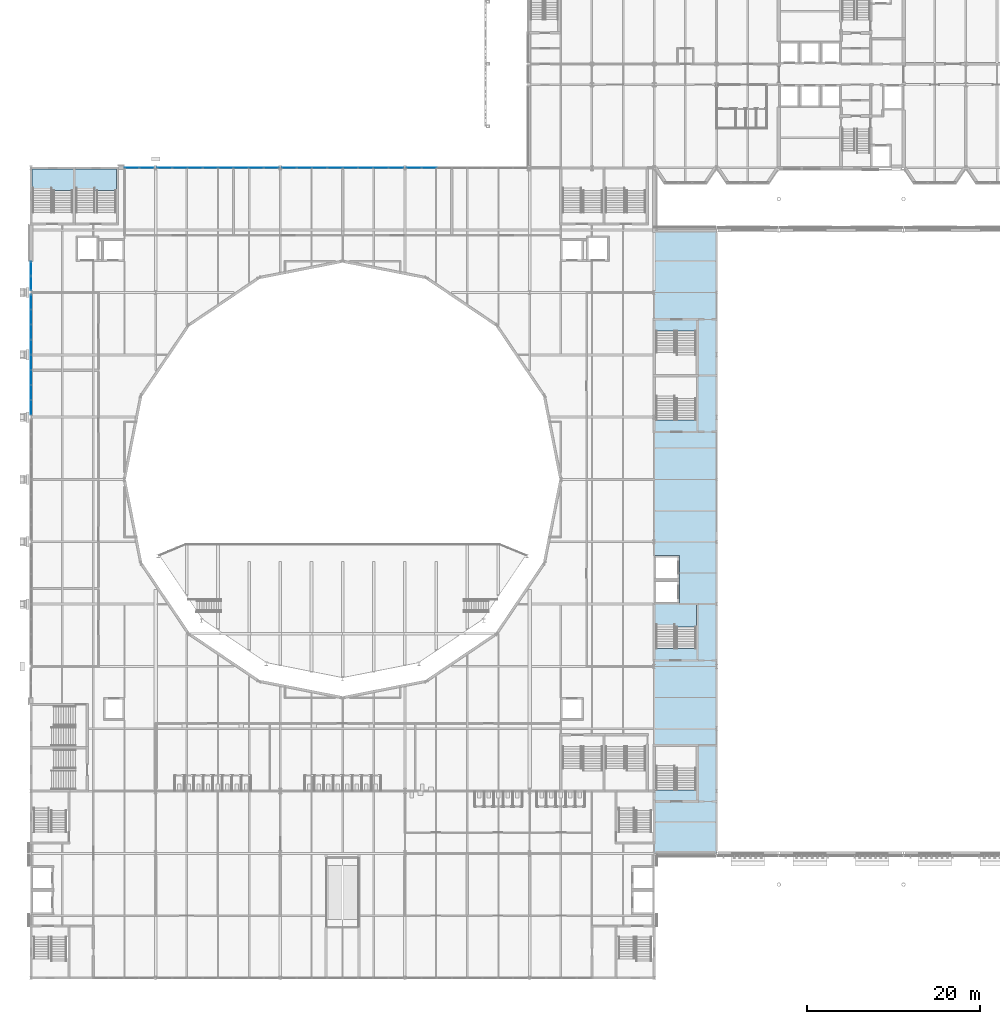
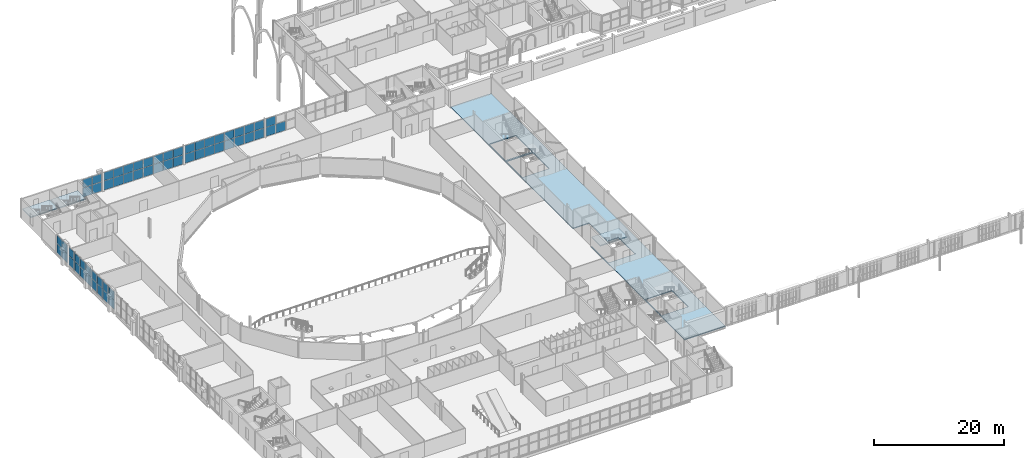
# One storey, part 59 of 124: 59 plates, 4 slabs, 12 elements without a shape of their own.
"""IFC4 building model written with IfcOpenShell, lengths in metres."""

from ifc_helpers import new_model, si_unit, direction, frame, origin, origin_2d, place, context, subcontext, project, spatial, polyline, rectangle, outline, extrude, material, layer, layer_set, type_object, element, aggregate, save


model = new_model("IFC4")

# Units and contexts
model_context = context("Model", 3, precision=1e-05, world=origin(), true_north=direction((0.0, 1.0)))
body_context = subcontext(model_context, "Body", "Model", "MODEL_VIEW")
ifc_project = project(units=[si_unit("LENGTHUNIT", "METRE"), si_unit("AREAUNIT", "SQUARE_METRE"), si_unit("VOLUMEUNIT", "CUBIC_METRE"), si_unit("PLANEANGLEUNIT", "RADIAN"), si_unit("MASSUNIT", "GRAM", prefix="KILO")], contexts=[model_context])

# Site, building, storey
site_placement = place(None, origin())
site = spatial("IfcSite", under=ifc_project, at=site_placement, CompositionType="ELEMENT")
building_placement = place(site_placement, origin())
building = spatial("IfcBuilding", under=site, at=building_placement, Name="Kupolbacken Congress Centre", CompositionType="ELEMENT")
storey_placement = place(building_placement, frame((0.0, 0.0, 10.800048828125)))
storey = spatial("IfcBuildingStorey", under=building, at=storey_placement, Name="L03", CompositionType="ELEMENT", Elevation=10.800048828125)

# Slab
ifc_material_1 = material(Name="Concrete C30/37", Category="concrete")
ifc_layer_1 = layer(ifc_material_1, 0.1201171875)
ifc_material_2 = material(Name="Steel S350 profiled deck", Category="steel")
ifc_layer_2 = layer(ifc_material_2, 0.06005859375)
ifc_layer_set_1 = layer_set([ifc_layer_1, ifc_layer_2], Name="Concrete C30/37 / Steel S350 profiled deck")
slab_type_1 = type_object("IfcSlabType", Name="FS3 slab 180", PredefinedType="FLOOR", material=ifc_layer_set_1)
slab_1_placement = place(storey_placement, frame((0.0, 0.0, -0.179931640625)))
element("IfcSlab", 1, at=slab_1_placement, inside=storey, type_object=slab_type_1, Name="S/floor/LINK/L03/slab/slab", PredefinedType="FLOOR", context=body_context, shape_type="SweptSolid", body=[
    extrude(outline(polyline([(86.3994140625, 43.200439453125), (86.3994140625, 115.199462890625), (79.200439453125, 115.199462890625), (79.200439453125, 77.6005859375), (82.1005859375, 77.6005859375), (82.1005859375, 72.00048828125), (84.075439453125, 72.00048828125), (84.075439453125, 66.859619140625), (79.324462890625, 66.859619140625), (79.324462890625, 71.99951171875), (79.200439453125, 71.99951171875), (79.200439453125, 43.200439453125), (86.3994140625, 43.200439453125)]), holes=[polyline([(79.324462890625, 98.275390625), (84.075439453125, 98.275390625), (84.075439453125, 93.259521484375), (79.324462890625, 93.259521484375), (79.324462890625, 98.275390625)]), polyline([(79.349609375, 103.5654296875), (84.050537109375, 103.5654296875), (84.050537109375, 98.549560546875), (79.349609375, 98.549560546875), (79.349609375, 103.5654296875)]), polyline([(79.349609375, 50.534423828125), (79.349609375, 55.550537109375), (84.050537109375, 55.550537109375), (84.050537109375, 50.534423828125), (79.349609375, 50.534423828125)])]), origin(), (0.0, 0.0, 1.0), 0.179931640625),
])

# Curtain wall, plates
ifc_material_3 = material(Name="Aluminium mullion-transom frame with glass", Category="aluminium")
curtain_wall_type_1 = type_object("IfcCurtainWallType", Name="CW1 curtain wall 7200x3600", PredefinedType="NOTDEFINED", material=ifc_material_3)
curtain_wall_1_placement = place(storey_placement, origin())
curtain_wall_1 = element("IfcCurtainWall", 2, at=curtain_wall_1_placement, inside=storey, type_object=curtain_wall_type_1, Name="E/P/N/L03/375", PredefinedType="NOTDEFINED")
ifc_material_4 = material(Name="Glass", Category="glass")
ifc_layer_3 = layer(ifc_material_4, 0.035888671875)
ifc_layer_set_2 = layer_set([ifc_layer_3], Name="Glass")
plate_type = type_object("IfcPlateType", Name="GL2 glass panel 36", PredefinedType="CURTAIN_PANEL", material=ifc_layer_set_2)
plate_1_placement = place(storey_placement, frame((53.19384765625, 122.39990234375, 0.0498046875), z_axis=(0.0, 0.0, 1.0), x_axis=(-1.0, 0.0, 0.0)))
plate_1 = element("IfcPlate", 3, at=plate_1_placement, type_object=plate_type, Name="CW1 panel 3.1", PredefinedType="CURTAIN_PANEL", context=body_context, shape_type="SweptSolid", body=[
    extrude(rectangle(XDim=1.71240234375, YDim=0.035888671875, at=origin_2d()), origin(), (0.0, 0.0, 1.0), 1.72509765625),
])
plate_2_placement = place(storey_placement, frame((51.44384765625, 122.39990234375, 0.0498046875), z_axis=(0.0, 0.0, 1.0), x_axis=(-1.0, 0.0, 0.0)))
plate_2 = element("IfcPlate", 4, at=plate_2_placement, type_object=plate_type, Name="CW1 panel 4.1", PredefinedType="CURTAIN_PANEL", context=body_context, shape_type="SweptSolid", body=[
    extrude(rectangle(XDim=1.6875, YDim=0.035888671875, at=origin_2d()), origin(), (0.0, 0.0, 1.0), 1.72509765625),
])
plate_3_placement = place(storey_placement, frame((51.44384765625, 122.39990234375, 1.824951171875), z_axis=(0.0, 0.0, 1.0), x_axis=(-1.0, 0.0, 0.0)))
plate_3 = element("IfcPlate", 5, at=plate_3_placement, type_object=plate_type, Name="CW1 panel 4.2", PredefinedType="CURTAIN_PANEL", context=body_context, shape_type="SweptSolid", body=[
    extrude(rectangle(XDim=1.6875, YDim=0.035888671875, at=origin_2d()), origin(), (0.0, 0.0, 1.0), 1.544921875),
])
aggregate(curtain_wall_1, [plate_1, plate_2, plate_3])

curtain_wall_2_placement = place(storey_placement, origin())
curtain_wall_2 = element("IfcCurtainWall", 6, at=curtain_wall_2_placement, inside=storey, type_object=curtain_wall_type_1, Name="E/P/N/L03/376", PredefinedType="NOTDEFINED")
plate_4_placement = place(storey_placement, frame((49.356201171875, 122.39990234375, 0.0498046875), z_axis=(0.0, 0.0, 1.0), x_axis=(-1.0, 0.0, 0.0)))
plate_4 = element("IfcPlate", 7, at=plate_4_placement, type_object=plate_type, Name="CW1 panel 1.1", PredefinedType="CURTAIN_PANEL", context=body_context, shape_type="SweptSolid", body=[
    extrude(rectangle(XDim=1.6875, YDim=0.035888671875, at=origin_2d()), origin(), (0.0, 0.0, 1.0), 1.72509765625),
])
plate_5_placement = place(storey_placement, frame((49.356201171875, 122.39990234375, 1.824951171875), z_axis=(0.0, 0.0, 1.0), x_axis=(-1.0, 0.0, 0.0)))
plate_5 = element("IfcPlate", 8, at=plate_5_placement, type_object=plate_type, Name="CW1 panel 1.2", PredefinedType="CURTAIN_PANEL", context=body_context, shape_type="SweptSolid", body=[
    extrude(rectangle(XDim=1.6875, YDim=0.035888671875, at=origin_2d()), origin(), (0.0, 0.0, 1.0), 1.544921875),
])
plate_6_placement = place(storey_placement, frame((47.606201171875, 122.39990234375, 0.0498046875), z_axis=(0.0, 0.0, 1.0), x_axis=(-1.0, 0.0, 0.0)))
plate_6 = element("IfcPlate", 9, at=plate_6_placement, type_object=plate_type, Name="CW1 panel 2.1", PredefinedType="CURTAIN_PANEL", context=body_context, shape_type="SweptSolid", body=[
    extrude(rectangle(XDim=1.71240234375, YDim=0.035888671875, at=origin_2d()), origin(), (0.0, 0.0, 1.0), 1.72509765625),
])
plate_7_placement = place(storey_placement, frame((47.606201171875, 122.39990234375, 1.824951171875), z_axis=(0.0, 0.0, 1.0), x_axis=(-1.0, 0.0, 0.0)))
plate_7 = element("IfcPlate", 10, at=plate_7_placement, type_object=plate_type, Name="CW1 panel 2.2", PredefinedType="CURTAIN_PANEL", context=body_context, shape_type="SweptSolid", body=[
    extrude(rectangle(XDim=1.71240234375, YDim=0.035888671875, at=origin_2d()), origin(), (0.0, 0.0, 1.0), 1.544921875),
])
plate_8_placement = place(storey_placement, frame((45.84375, 122.39990234375, 0.0498046875), z_axis=(0.0, 0.0, 1.0), x_axis=(-1.0, 0.0, 0.0)))
plate_8 = element("IfcPlate", 11, at=plate_8_placement, type_object=plate_type, Name="CW1 panel 3.1", PredefinedType="CURTAIN_PANEL", context=body_context, shape_type="SweptSolid", body=[
    extrude(rectangle(XDim=1.71240234375, YDim=0.035888671875, at=origin_2d()), origin(), (0.0, 0.0, 1.0), 1.72509765625),
])
plate_9_placement = place(storey_placement, frame((45.84375, 122.39990234375, 1.824951171875), z_axis=(0.0, 0.0, 1.0), x_axis=(-1.0, 0.0, 0.0)))
plate_9 = element("IfcPlate", 12, at=plate_9_placement, type_object=plate_type, Name="CW1 panel 3.2", PredefinedType="CURTAIN_PANEL", context=body_context, shape_type="SweptSolid", body=[
    extrude(rectangle(XDim=1.71240234375, YDim=0.035888671875, at=origin_2d()), origin(), (0.0, 0.0, 1.0), 1.544921875),
])
plate_10_placement = place(storey_placement, frame((44.09375, 122.39990234375, 0.0498046875), z_axis=(0.0, 0.0, 1.0), x_axis=(-1.0, 0.0, 0.0)))
plate_10 = element("IfcPlate", 13, at=plate_10_placement, type_object=plate_type, Name="CW1 panel 4.1", PredefinedType="CURTAIN_PANEL", context=body_context, shape_type="SweptSolid", body=[
    extrude(rectangle(XDim=1.6875, YDim=0.035888671875, at=origin_2d()), origin(), (0.0, 0.0, 1.0), 1.72509765625),
])
plate_11_placement = place(storey_placement, frame((44.09375, 122.39990234375, 1.824951171875), z_axis=(0.0, 0.0, 1.0), x_axis=(-1.0, 0.0, 0.0)))
plate_11 = element("IfcPlate", 14, at=plate_11_placement, type_object=plate_type, Name="CW1 panel 4.2", PredefinedType="CURTAIN_PANEL", context=body_context, shape_type="SweptSolid", body=[
    extrude(rectangle(XDim=1.6875, YDim=0.035888671875, at=origin_2d()), origin(), (0.0, 0.0, 1.0), 1.544921875),
])
aggregate(curtain_wall_2, [plate_4, plate_5, plate_6, plate_7, plate_8, plate_9, plate_10, plate_11])

curtain_wall_3_placement = place(storey_placement, origin())
curtain_wall_3 = element("IfcCurtainWall", 15, at=curtain_wall_3_placement, inside=storey, type_object=curtain_wall_type_1, Name="E/P/N/L03/377", PredefinedType="NOTDEFINED")
plate_12_placement = place(storey_placement, frame((42.30615234375, 122.39990234375, 0.0498046875), z_axis=(0.0, 0.0, 1.0), x_axis=(-1.0, 0.0, 0.0)))
plate_12 = element("IfcPlate", 16, at=plate_12_placement, type_object=plate_type, Name="CW1 panel 1.1", PredefinedType="CURTAIN_PANEL", context=body_context, shape_type="SweptSolid", body=[
    extrude(rectangle(XDim=1.6875, YDim=0.035888671875, at=origin_2d()), origin(), (0.0, 0.0, 1.0), 1.72509765625),
])
plate_13_placement = place(storey_placement, frame((42.30615234375, 122.39990234375, 1.824951171875), z_axis=(0.0, 0.0, 1.0), x_axis=(-1.0, 0.0, 0.0)))
plate_13 = element("IfcPlate", 17, at=plate_13_placement, type_object=plate_type, Name="CW1 panel 1.2", PredefinedType="CURTAIN_PANEL", context=body_context, shape_type="SweptSolid", body=[
    extrude(rectangle(XDim=1.6875, YDim=0.035888671875, at=origin_2d()), origin(), (0.0, 0.0, 1.0), 1.544921875),
])
plate_14_placement = place(storey_placement, frame((40.55615234375, 122.39990234375, 0.0498046875), z_axis=(0.0, 0.0, 1.0), x_axis=(-1.0, 0.0, 0.0)))
plate_14 = element("IfcPlate", 18, at=plate_14_placement, type_object=plate_type, Name="CW1 panel 2.1", PredefinedType="CURTAIN_PANEL", context=body_context, shape_type="SweptSolid", body=[
    extrude(rectangle(XDim=1.71240234375, YDim=0.035888671875, at=origin_2d()), origin(), (0.0, 0.0, 1.0), 1.72509765625),
])
plate_15_placement = place(storey_placement, frame((40.55615234375, 122.39990234375, 1.824951171875), z_axis=(0.0, 0.0, 1.0), x_axis=(-1.0, 0.0, 0.0)))
plate_15 = element("IfcPlate", 19, at=plate_15_placement, type_object=plate_type, Name="CW1 panel 2.2", PredefinedType="CURTAIN_PANEL", context=body_context, shape_type="SweptSolid", body=[
    extrude(rectangle(XDim=1.71240234375, YDim=0.035888671875, at=origin_2d()), origin(), (0.0, 0.0, 1.0), 1.544921875),
])
plate_16_placement = place(storey_placement, frame((38.793701171875, 122.39990234375, 0.0498046875), z_axis=(0.0, 0.0, 1.0), x_axis=(-1.0, 0.0, 0.0)))
plate_16 = element("IfcPlate", 20, at=plate_16_placement, type_object=plate_type, Name="CW1 panel 3.1", PredefinedType="CURTAIN_PANEL", context=body_context, shape_type="SweptSolid", body=[
    extrude(rectangle(XDim=1.71240234375, YDim=0.035888671875, at=origin_2d()), origin(), (0.0, 0.0, 1.0), 1.72509765625),
])
plate_17_placement = place(storey_placement, frame((38.793701171875, 122.39990234375, 1.824951171875), z_axis=(0.0, 0.0, 1.0), x_axis=(-1.0, 0.0, 0.0)))
plate_17 = element("IfcPlate", 21, at=plate_17_placement, type_object=plate_type, Name="CW1 panel 3.2", PredefinedType="CURTAIN_PANEL", context=body_context, shape_type="SweptSolid", body=[
    extrude(rectangle(XDim=1.71240234375, YDim=0.035888671875, at=origin_2d()), origin(), (0.0, 0.0, 1.0), 1.544921875),
])
plate_18_placement = place(storey_placement, frame((37.043701171875, 122.39990234375, 0.0498046875), z_axis=(0.0, 0.0, 1.0), x_axis=(-1.0, 0.0, 0.0)))
plate_18 = element("IfcPlate", 22, at=plate_18_placement, type_object=plate_type, Name="CW1 panel 4.1", PredefinedType="CURTAIN_PANEL", context=body_context, shape_type="SweptSolid", body=[
    extrude(rectangle(XDim=1.6875, YDim=0.035888671875, at=origin_2d()), origin(), (0.0, 0.0, 1.0), 1.72509765625),
])
plate_19_placement = place(storey_placement, frame((37.043701171875, 122.39990234375, 1.824951171875), z_axis=(0.0, 0.0, 1.0), x_axis=(-1.0, 0.0, 0.0)))
plate_19 = element("IfcPlate", 23, at=plate_19_placement, type_object=plate_type, Name="CW1 panel 4.2", PredefinedType="CURTAIN_PANEL", context=body_context, shape_type="SweptSolid", body=[
    extrude(rectangle(XDim=1.6875, YDim=0.035888671875, at=origin_2d()), origin(), (0.0, 0.0, 1.0), 1.544921875),
])
aggregate(curtain_wall_3, [plate_12, plate_13, plate_14, plate_15, plate_16, plate_17, plate_18, plate_19])

curtain_wall_4_placement = place(storey_placement, origin())
curtain_wall_4 = element("IfcCurtainWall", 24, at=curtain_wall_4_placement, inside=storey, type_object=curtain_wall_type_1, Name="E/P/N/L03/378", PredefinedType="NOTDEFINED")
plate_20_placement = place(storey_placement, frame((34.956298828125, 122.39990234375, 0.0498046875), z_axis=(0.0, 0.0, 1.0), x_axis=(-1.0, 0.0, 0.0)))
plate_20 = element("IfcPlate", 25, at=plate_20_placement, type_object=plate_type, Name="CW1 panel 1.1", PredefinedType="CURTAIN_PANEL", context=body_context, shape_type="SweptSolid", body=[
    extrude(rectangle(XDim=1.6875, YDim=0.035888671875, at=origin_2d()), origin(), (0.0, 0.0, 1.0), 1.72509765625),
])
plate_21_placement = place(storey_placement, frame((34.956298828125, 122.39990234375, 1.824951171875), z_axis=(0.0, 0.0, 1.0), x_axis=(-1.0, 0.0, 0.0)))
plate_21 = element("IfcPlate", 26, at=plate_21_placement, type_object=plate_type, Name="CW1 panel 1.2", PredefinedType="CURTAIN_PANEL", context=body_context, shape_type="SweptSolid", body=[
    extrude(rectangle(XDim=1.6875, YDim=0.035888671875, at=origin_2d()), origin(), (0.0, 0.0, 1.0), 1.544921875),
])
plate_22_placement = place(storey_placement, frame((33.206298828125, 122.39990234375, 0.0498046875), z_axis=(0.0, 0.0, 1.0), x_axis=(-1.0, 0.0, 0.0)))
plate_22 = element("IfcPlate", 27, at=plate_22_placement, type_object=plate_type, Name="CW1 panel 2.1", PredefinedType="CURTAIN_PANEL", context=body_context, shape_type="SweptSolid", body=[
    extrude(rectangle(XDim=1.71240234375, YDim=0.035888671875, at=origin_2d()), origin(), (0.0, 0.0, 1.0), 1.72509765625),
])
plate_23_placement = place(storey_placement, frame((33.206298828125, 122.39990234375, 1.824951171875), z_axis=(0.0, 0.0, 1.0), x_axis=(-1.0, 0.0, 0.0)))
plate_23 = element("IfcPlate", 28, at=plate_23_placement, type_object=plate_type, Name="CW1 panel 2.2", PredefinedType="CURTAIN_PANEL", context=body_context, shape_type="SweptSolid", body=[
    extrude(rectangle(XDim=1.71240234375, YDim=0.035888671875, at=origin_2d()), origin(), (0.0, 0.0, 1.0), 1.544921875),
])
plate_24_placement = place(storey_placement, frame((31.44384765625, 122.39990234375, 0.0498046875), z_axis=(0.0, 0.0, 1.0), x_axis=(-1.0, 0.0, 0.0)))
plate_24 = element("IfcPlate", 29, at=plate_24_placement, type_object=plate_type, Name="CW1 panel 3.1", PredefinedType="CURTAIN_PANEL", context=body_context, shape_type="SweptSolid", body=[
    extrude(rectangle(XDim=1.71240234375, YDim=0.035888671875, at=origin_2d()), origin(), (0.0, 0.0, 1.0), 1.72509765625),
])
plate_25_placement = place(storey_placement, frame((31.44384765625, 122.39990234375, 1.824951171875), z_axis=(0.0, 0.0, 1.0), x_axis=(-1.0, 0.0, 0.0)))
plate_25 = element("IfcPlate", 30, at=plate_25_placement, type_object=plate_type, Name="CW1 panel 3.2", PredefinedType="CURTAIN_PANEL", context=body_context, shape_type="SweptSolid", body=[
    extrude(rectangle(XDim=1.71240234375, YDim=0.035888671875, at=origin_2d()), origin(), (0.0, 0.0, 1.0), 1.544921875),
])
plate_26_placement = place(storey_placement, frame((29.69384765625, 122.39990234375, 0.0498046875), z_axis=(0.0, 0.0, 1.0), x_axis=(-1.0, 0.0, 0.0)))
plate_26 = element("IfcPlate", 31, at=plate_26_placement, type_object=plate_type, Name="CW1 panel 4.1", PredefinedType="CURTAIN_PANEL", context=body_context, shape_type="SweptSolid", body=[
    extrude(rectangle(XDim=1.6875, YDim=0.035888671875, at=origin_2d()), origin(), (0.0, 0.0, 1.0), 1.72509765625),
])
plate_27_placement = place(storey_placement, frame((29.69384765625, 122.39990234375, 1.824951171875), z_axis=(0.0, 0.0, 1.0), x_axis=(-1.0, 0.0, 0.0)))
plate_27 = element("IfcPlate", 32, at=plate_27_placement, type_object=plate_type, Name="CW1 panel 4.2", PredefinedType="CURTAIN_PANEL", context=body_context, shape_type="SweptSolid", body=[
    extrude(rectangle(XDim=1.6875, YDim=0.035888671875, at=origin_2d()), origin(), (0.0, 0.0, 1.0), 1.544921875),
])
aggregate(curtain_wall_4, [plate_20, plate_21, plate_22, plate_23, plate_24, plate_25, plate_26, plate_27])

curtain_wall_5_placement = place(storey_placement, origin())
curtain_wall_5 = element("IfcCurtainWall", 33, at=curtain_wall_5_placement, inside=storey, type_object=curtain_wall_type_1, Name="E/P/N/L03/379", PredefinedType="NOTDEFINED")
plate_28_placement = place(storey_placement, frame((27.90625, 122.39990234375, 0.0498046875), z_axis=(0.0, 0.0, 1.0), x_axis=(-1.0, 0.0, 0.0)))
plate_28 = element("IfcPlate", 34, at=plate_28_placement, type_object=plate_type, Name="CW1 panel 1.1", PredefinedType="CURTAIN_PANEL", context=body_context, shape_type="SweptSolid", body=[
    extrude(rectangle(XDim=1.6875, YDim=0.035888671875, at=origin_2d()), origin(), (0.0, 0.0, 1.0), 1.72509765625),
])
plate_29_placement = place(storey_placement, frame((27.90625, 122.39990234375, 1.824951171875), z_axis=(0.0, 0.0, 1.0), x_axis=(-1.0, 0.0, 0.0)))
plate_29 = element("IfcPlate", 35, at=plate_29_placement, type_object=plate_type, Name="CW1 panel 1.2", PredefinedType="CURTAIN_PANEL", context=body_context, shape_type="SweptSolid", body=[
    extrude(rectangle(XDim=1.6875, YDim=0.035888671875, at=origin_2d()), origin(), (0.0, 0.0, 1.0), 1.544921875),
])
plate_30_placement = place(storey_placement, frame((26.15625, 122.39990234375, 0.0498046875), z_axis=(0.0, 0.0, 1.0), x_axis=(-1.0, 0.0, 0.0)))
plate_30 = element("IfcPlate", 36, at=plate_30_placement, type_object=plate_type, Name="CW1 panel 2.1", PredefinedType="CURTAIN_PANEL", context=body_context, shape_type="SweptSolid", body=[
    extrude(rectangle(XDim=1.71240234375, YDim=0.035888671875, at=origin_2d()), origin(), (0.0, 0.0, 1.0), 1.72509765625),
])
plate_31_placement = place(storey_placement, frame((26.15625, 122.39990234375, 1.824951171875), z_axis=(0.0, 0.0, 1.0), x_axis=(-1.0, 0.0, 0.0)))
plate_31 = element("IfcPlate", 37, at=plate_31_placement, type_object=plate_type, Name="CW1 panel 2.2", PredefinedType="CURTAIN_PANEL", context=body_context, shape_type="SweptSolid", body=[
    extrude(rectangle(XDim=1.71240234375, YDim=0.035888671875, at=origin_2d()), origin(), (0.0, 0.0, 1.0), 1.544921875),
])
plate_32_placement = place(storey_placement, frame((24.393798828125, 122.39990234375, 0.0498046875), z_axis=(0.0, 0.0, 1.0), x_axis=(-1.0, 0.0, 0.0)))
plate_32 = element("IfcPlate", 38, at=plate_32_placement, type_object=plate_type, Name="CW1 panel 3.1", PredefinedType="CURTAIN_PANEL", context=body_context, shape_type="SweptSolid", body=[
    extrude(rectangle(XDim=1.71240234375, YDim=0.035888671875, at=origin_2d()), origin(), (0.0, 0.0, 1.0), 1.72509765625),
])
plate_33_placement = place(storey_placement, frame((24.393798828125, 122.39990234375, 1.824951171875), z_axis=(0.0, 0.0, 1.0), x_axis=(-1.0, 0.0, 0.0)))
plate_33 = element("IfcPlate", 39, at=plate_33_placement, type_object=plate_type, Name="CW1 panel 3.2", PredefinedType="CURTAIN_PANEL", context=body_context, shape_type="SweptSolid", body=[
    extrude(rectangle(XDim=1.71240234375, YDim=0.035888671875, at=origin_2d()), origin(), (0.0, 0.0, 1.0), 1.544921875),
])
plate_34_placement = place(storey_placement, frame((22.643798828125, 122.39990234375, 0.0498046875), z_axis=(0.0, 0.0, 1.0), x_axis=(-1.0, 0.0, 0.0)))
plate_34 = element("IfcPlate", 40, at=plate_34_placement, type_object=plate_type, Name="CW1 panel 4.1", PredefinedType="CURTAIN_PANEL", context=body_context, shape_type="SweptSolid", body=[
    extrude(rectangle(XDim=1.6875, YDim=0.035888671875, at=origin_2d()), origin(), (0.0, 0.0, 1.0), 1.72509765625),
])
plate_35_placement = place(storey_placement, frame((22.643798828125, 122.39990234375, 1.824951171875), z_axis=(0.0, 0.0, 1.0), x_axis=(-1.0, 0.0, 0.0)))
plate_35 = element("IfcPlate", 41, at=plate_35_placement, type_object=plate_type, Name="CW1 panel 4.2", PredefinedType="CURTAIN_PANEL", context=body_context, shape_type="SweptSolid", body=[
    extrude(rectangle(XDim=1.6875, YDim=0.035888671875, at=origin_2d()), origin(), (0.0, 0.0, 1.0), 1.544921875),
])
aggregate(curtain_wall_5, [plate_28, plate_29, plate_30, plate_31, plate_32, plate_33, plate_34, plate_35])

ifc_material_5 = material(Name="Aluminium mullion-transom frame with glass", Category="aluminium")
curtain_wall_type_2 = type_object("IfcCurtainWallType", Name="CW2 curtain wall 3600x3600", PredefinedType="NOTDEFINED", material=ifc_material_5)
curtain_wall_6_placement = place(storey_placement, origin())
curtain_wall_6 = element("IfcCurtainWall", 42, at=curtain_wall_6_placement, inside=storey, type_object=curtain_wall_type_2, Name="E/P/N/L03/380", PredefinedType="NOTDEFINED")
plate_36_placement = place(storey_placement, frame((20.572509765625, 122.39990234375, 0.06005859375), z_axis=(0.0, 0.0, 1.0), x_axis=(-1.0, 0.0, 0.0)))
plate_36 = element("IfcPlate", 43, at=plate_36_placement, type_object=plate_type, Name="CW2 panel 1.1", PredefinedType="CURTAIN_PANEL", context=body_context, shape_type="SweptSolid", body=[
    extrude(rectangle(XDim=1.635009765625, YDim=0.035888671875, at=origin_2d()), origin(), (0.0, 0.0, 1.0), 1.7099609375),
])
plate_37_placement = place(storey_placement, frame((20.572509765625, 122.39990234375, 1.830078125), z_axis=(0.0, 0.0, 1.0), x_axis=(-1.0, 0.0, 0.0)))
plate_37 = element("IfcPlate", 44, at=plate_37_placement, type_object=plate_type, Name="CW2 panel 1.2", PredefinedType="CURTAIN_PANEL", context=body_context, shape_type="SweptSolid", body=[
    extrude(rectangle(XDim=1.635009765625, YDim=0.035888671875, at=origin_2d()), origin(), (0.0, 0.0, 1.0), 1.530029296875),
])
plate_38_placement = place(storey_placement, frame((18.87744140625, 122.39990234375, 0.06005859375), z_axis=(0.0, 0.0, 1.0), x_axis=(-1.0, 0.0, 0.0)))
plate_38 = element("IfcPlate", 45, at=plate_38_placement, type_object=plate_type, Name="CW2 panel 2.1", PredefinedType="CURTAIN_PANEL", context=body_context, shape_type="SweptSolid", body=[
    extrude(rectangle(XDim=1.635009765625, YDim=0.035888671875, at=origin_2d()), origin(), (0.0, 0.0, 1.0), 1.7099609375),
])
plate_39_placement = place(storey_placement, frame((18.87744140625, 122.39990234375, 1.830078125), z_axis=(0.0, 0.0, 1.0), x_axis=(-1.0, 0.0, 0.0)))
plate_39 = element("IfcPlate", 46, at=plate_39_placement, type_object=plate_type, Name="CW2 panel 2.2", PredefinedType="CURTAIN_PANEL", context=body_context, shape_type="SweptSolid", body=[
    extrude(rectangle(XDim=1.635009765625, YDim=0.035888671875, at=origin_2d()), origin(), (0.0, 0.0, 1.0), 1.530029296875),
])
aggregate(curtain_wall_6, [plate_36, plate_37, plate_38, plate_39])

curtain_wall_7_placement = place(storey_placement, origin())
curtain_wall_7 = element("IfcCurtainWall", 47, at=curtain_wall_7_placement, inside=storey, type_object=curtain_wall_type_2, Name="E/P/W/L03/386", PredefinedType="NOTDEFINED")
plate_40_placement = place(storey_placement, frame((7.199951171875, 110.7412109375, 0.06005859375), z_axis=(0.0, 0.0, 1.0), x_axis=(0.0, -1.0, 0.0)))
plate_40 = element("IfcPlate", 48, at=plate_40_placement, type_object=plate_type, Name="CW2 panel 1.1", PredefinedType="CURTAIN_PANEL", context=body_context, shape_type="SweptSolid", body=[
    extrude(rectangle(XDim=1.597412109375, YDim=0.035888671875, at=origin_2d()), origin(), (0.0, 0.0, 1.0), 1.7099609375),
])
plate_41_placement = place(storey_placement, frame((7.199951171875, 110.7412109375, 1.830078125), z_axis=(0.0, 0.0, 1.0), x_axis=(0.0, -1.0, 0.0)))
plate_41 = element("IfcPlate", 49, at=plate_41_placement, type_object=plate_type, Name="CW2 panel 1.2", PredefinedType="CURTAIN_PANEL", context=body_context, shape_type="SweptSolid", body=[
    extrude(rectangle(XDim=1.597412109375, YDim=0.035888671875, at=origin_2d()), origin(), (0.0, 0.0, 1.0), 1.530029296875),
])
plate_42_placement = place(storey_placement, frame((7.199951171875, 109.083740234375, 0.06005859375), z_axis=(0.0, 0.0, 1.0), x_axis=(0.0, -1.0, 0.0)))
plate_42 = element("IfcPlate", 50, at=plate_42_placement, type_object=plate_type, Name="CW2 panel 2.1", PredefinedType="CURTAIN_PANEL", context=body_context, shape_type="SweptSolid", body=[
    extrude(rectangle(XDim=1.597412109375, YDim=0.035888671875, at=origin_2d()), origin(), (0.0, 0.0, 1.0), 1.7099609375),
])
plate_43_placement = place(storey_placement, frame((7.199951171875, 109.083740234375, 1.830078125), z_axis=(0.0, 0.0, 1.0), x_axis=(0.0, -1.0, 0.0)))
plate_43 = element("IfcPlate", 51, at=plate_43_placement, type_object=plate_type, Name="CW2 panel 2.2", PredefinedType="CURTAIN_PANEL", context=body_context, shape_type="SweptSolid", body=[
    extrude(rectangle(XDim=1.597412109375, YDim=0.035888671875, at=origin_2d()), origin(), (0.0, 0.0, 1.0), 1.530029296875),
])
aggregate(curtain_wall_7, [plate_40, plate_41, plate_42, plate_43])

curtain_wall_8_placement = place(storey_placement, origin())
curtain_wall_8 = element("IfcCurtainWall", 52, at=curtain_wall_8_placement, inside=storey, type_object=curtain_wall_type_1, Name="E/P/W/L03/387", PredefinedType="NOTDEFINED")
plate_44_placement = place(storey_placement, frame((7.199951171875, 106.890625, 0.0498046875), z_axis=(0.0, 0.0, 1.0), x_axis=(0.0, -1.0, 0.0)))
plate_44 = element("IfcPlate", 53, at=plate_44_placement, type_object=plate_type, Name="CW1 panel 1.1", PredefinedType="CURTAIN_PANEL", context=body_context, shape_type="SweptSolid", body=[
    extrude(rectangle(XDim=1.668701171875, YDim=0.035888671875, at=origin_2d()), origin(), (0.0, 0.0, 1.0), 1.72509765625),
])
plate_45_placement = place(storey_placement, frame((7.199951171875, 106.890625, 1.824951171875), z_axis=(0.0, 0.0, 1.0), x_axis=(0.0, -1.0, 0.0)))
plate_45 = element("IfcPlate", 54, at=plate_45_placement, type_object=plate_type, Name="CW1 panel 1.2", PredefinedType="CURTAIN_PANEL", context=body_context, shape_type="SweptSolid", body=[
    extrude(rectangle(XDim=1.668701171875, YDim=0.035888671875, at=origin_2d()), origin(), (0.0, 0.0, 1.0), 1.544921875),
])
plate_46_placement = place(storey_placement, frame((7.199951171875, 105.159423828125, 0.0498046875), z_axis=(0.0, 0.0, 1.0), x_axis=(0.0, -1.0, 0.0)))
plate_46 = element("IfcPlate", 55, at=plate_46_placement, type_object=plate_type, Name="CW1 panel 2.1", PredefinedType="CURTAIN_PANEL", context=body_context, shape_type="SweptSolid", body=[
    extrude(rectangle(XDim=1.69384765625, YDim=0.035888671875, at=origin_2d()), origin(), (0.0, 0.0, 1.0), 1.72509765625),
])
plate_47_placement = place(storey_placement, frame((7.199951171875, 105.159423828125, 1.824951171875), z_axis=(0.0, 0.0, 1.0), x_axis=(0.0, -1.0, 0.0)))
plate_47 = element("IfcPlate", 56, at=plate_47_placement, type_object=plate_type, Name="CW1 panel 2.2", PredefinedType="CURTAIN_PANEL", context=body_context, shape_type="SweptSolid", body=[
    extrude(rectangle(XDim=1.69384765625, YDim=0.035888671875, at=origin_2d()), origin(), (0.0, 0.0, 1.0), 1.544921875),
])
plate_48_placement = place(storey_placement, frame((7.199951171875, 103.41552734375, 0.0498046875), z_axis=(0.0, 0.0, 1.0), x_axis=(0.0, -1.0, 0.0)))
plate_48 = element("IfcPlate", 57, at=plate_48_placement, type_object=plate_type, Name="CW1 panel 3.1", PredefinedType="CURTAIN_PANEL", context=body_context, shape_type="SweptSolid", body=[
    extrude(rectangle(XDim=1.69384765625, YDim=0.035888671875, at=origin_2d()), origin(), (0.0, 0.0, 1.0), 1.72509765625),
])
plate_49_placement = place(storey_placement, frame((7.199951171875, 103.41552734375, 1.824951171875), z_axis=(0.0, 0.0, 1.0), x_axis=(0.0, -1.0, 0.0)))
plate_49 = element("IfcPlate", 58, at=plate_49_placement, type_object=plate_type, Name="CW1 panel 3.2", PredefinedType="CURTAIN_PANEL", context=body_context, shape_type="SweptSolid", body=[
    extrude(rectangle(XDim=1.69384765625, YDim=0.035888671875, at=origin_2d()), origin(), (0.0, 0.0, 1.0), 1.544921875),
])
plate_50_placement = place(storey_placement, frame((7.199951171875, 101.684326171875, 0.0498046875), z_axis=(0.0, 0.0, 1.0), x_axis=(0.0, -1.0, 0.0)))
plate_50 = element("IfcPlate", 59, at=plate_50_placement, type_object=plate_type, Name="CW1 panel 4.1", PredefinedType="CURTAIN_PANEL", context=body_context, shape_type="SweptSolid", body=[
    extrude(rectangle(XDim=1.668701171875, YDim=0.035888671875, at=origin_2d()), origin(), (0.0, 0.0, 1.0), 1.72509765625),
])
plate_51_placement = place(storey_placement, frame((7.199951171875, 101.684326171875, 1.824951171875), z_axis=(0.0, 0.0, 1.0), x_axis=(0.0, -1.0, 0.0)))
plate_51 = element("IfcPlate", 60, at=plate_51_placement, type_object=plate_type, Name="CW1 panel 4.2", PredefinedType="CURTAIN_PANEL", context=body_context, shape_type="SweptSolid", body=[
    extrude(rectangle(XDim=1.668701171875, YDim=0.035888671875, at=origin_2d()), origin(), (0.0, 0.0, 1.0), 1.544921875),
])
aggregate(curtain_wall_8, [plate_44, plate_45, plate_46, plate_47, plate_48, plate_49, plate_50, plate_51])

curtain_wall_9_placement = place(storey_placement, origin())
curtain_wall_9 = element("IfcCurtainWall", 61, at=curtain_wall_9_placement, inside=storey, type_object=curtain_wall_type_1, Name="E/P/W/L03/388", PredefinedType="NOTDEFINED")
plate_52_placement = place(storey_placement, frame((7.199951171875, 99.91552734375, 0.0498046875), z_axis=(0.0, 0.0, 1.0), x_axis=(0.0, -1.0, 0.0)))
plate_52 = element("IfcPlate", 62, at=plate_52_placement, type_object=plate_type, Name="CW1 panel 1.1", PredefinedType="CURTAIN_PANEL", context=body_context, shape_type="SweptSolid", body=[
    extrude(rectangle(XDim=1.668701171875, YDim=0.035888671875, at=origin_2d()), origin(), (0.0, 0.0, 1.0), 1.72509765625),
])
plate_53_placement = place(storey_placement, frame((7.199951171875, 99.91552734375, 1.824951171875), z_axis=(0.0, 0.0, 1.0), x_axis=(0.0, -1.0, 0.0)))
plate_53 = element("IfcPlate", 63, at=plate_53_placement, type_object=plate_type, Name="CW1 panel 1.2", PredefinedType="CURTAIN_PANEL", context=body_context, shape_type="SweptSolid", body=[
    extrude(rectangle(XDim=1.668701171875, YDim=0.035888671875, at=origin_2d()), origin(), (0.0, 0.0, 1.0), 1.544921875),
])
plate_54_placement = place(storey_placement, frame((7.199951171875, 98.184326171875, 0.0498046875), z_axis=(0.0, 0.0, 1.0), x_axis=(0.0, -1.0, 0.0)))
plate_54 = element("IfcPlate", 64, at=plate_54_placement, type_object=plate_type, Name="CW1 panel 2.1", PredefinedType="CURTAIN_PANEL", context=body_context, shape_type="SweptSolid", body=[
    extrude(rectangle(XDim=1.69384765625, YDim=0.035888671875, at=origin_2d()), origin(), (0.0, 0.0, 1.0), 1.72509765625),
])
plate_55_placement = place(storey_placement, frame((7.199951171875, 98.184326171875, 1.824951171875), z_axis=(0.0, 0.0, 1.0), x_axis=(0.0, -1.0, 0.0)))
plate_55 = element("IfcPlate", 65, at=plate_55_placement, type_object=plate_type, Name="CW1 panel 2.2", PredefinedType="CURTAIN_PANEL", context=body_context, shape_type="SweptSolid", body=[
    extrude(rectangle(XDim=1.69384765625, YDim=0.035888671875, at=origin_2d()), origin(), (0.0, 0.0, 1.0), 1.544921875),
])
plate_56_placement = place(storey_placement, frame((7.199951171875, 96.440673828125, 0.0498046875), z_axis=(0.0, 0.0, 1.0), x_axis=(0.0, -1.0, 0.0)))
plate_56 = element("IfcPlate", 66, at=plate_56_placement, type_object=plate_type, Name="CW1 panel 3.1", PredefinedType="CURTAIN_PANEL", context=body_context, shape_type="SweptSolid", body=[
    extrude(rectangle(XDim=1.69384765625, YDim=0.035888671875, at=origin_2d()), origin(), (0.0, 0.0, 1.0), 1.72509765625),
])
plate_57_placement = place(storey_placement, frame((7.199951171875, 96.440673828125, 1.824951171875), z_axis=(0.0, 0.0, 1.0), x_axis=(0.0, -1.0, 0.0)))
plate_57 = element("IfcPlate", 67, at=plate_57_placement, type_object=plate_type, Name="CW1 panel 3.2", PredefinedType="CURTAIN_PANEL", context=body_context, shape_type="SweptSolid", body=[
    extrude(rectangle(XDim=1.69384765625, YDim=0.035888671875, at=origin_2d()), origin(), (0.0, 0.0, 1.0), 1.544921875),
])
plate_58_placement = place(storey_placement, frame((7.199951171875, 94.70947265625, 0.0498046875), z_axis=(0.0, 0.0, 1.0), x_axis=(0.0, -1.0, 0.0)))
plate_58 = element("IfcPlate", 68, at=plate_58_placement, type_object=plate_type, Name="CW1 panel 4.1", PredefinedType="CURTAIN_PANEL", context=body_context, shape_type="SweptSolid", body=[
    extrude(rectangle(XDim=1.668701171875, YDim=0.035888671875, at=origin_2d()), origin(), (0.0, 0.0, 1.0), 1.72509765625),
])
plate_59_placement = place(storey_placement, frame((7.199951171875, 94.70947265625, 1.824951171875), z_axis=(0.0, 0.0, 1.0), x_axis=(0.0, -1.0, 0.0)))
plate_59 = element("IfcPlate", 69, at=plate_59_placement, type_object=plate_type, Name="CW1 panel 4.2", PredefinedType="CURTAIN_PANEL", context=body_context, shape_type="SweptSolid", body=[
    extrude(rectangle(XDim=1.668701171875, YDim=0.035888671875, at=origin_2d()), origin(), (0.0, 0.0, 1.0), 1.544921875),
])
aggregate(curtain_wall_9, [plate_52, plate_53, plate_54, plate_55, plate_56, plate_57, plate_58, plate_59])

# Stair, slab
ifc_material_6 = material(Name="Concrete C30/37", Category="concrete")
stair_type = type_object("IfcStairType", Name="ST13 stair 2200", PredefinedType="TWO_STRAIGHT_RUN_STAIR", material=ifc_material_6)
stair_1_placement = place(storey_placement, origin())
stair_1 = element("IfcStair", 70, at=stair_1_placement, inside=storey, type_object=stair_type, Name="C/stair/PS1NW/L03", PredefinedType="NOTDEFINED")
ifc_layer_4 = layer(ifc_material_1, 0.175048828125)
ifc_material_7 = material(Name="Limestone", Category="masonry")
ifc_layer_5 = layer(ifc_material_7, 0.030029296875)
ifc_layer_set_3 = layer_set([ifc_layer_4, ifc_layer_5], Name="Concrete C30/37 / Limestone")
slab_type_2 = type_object("IfcSlabType", Name="SL2 slab 205", PredefinedType="LANDING", material=ifc_layer_set_3)
slab_2_placement = place(storey_placement, frame((0.0, 0.0, 1.50927734375)))
slab_2 = element("IfcSlab", 71, at=slab_2_placement, type_object=slab_type_2, Name="PS1NW landing 1", PredefinedType="LANDING", context=body_context, shape_type="SweptSolid", body=[
    extrude(outline(polyline([(7.304931640625, 119.77001953125), (12.094970703125, 119.77001953125), (12.094970703125, 122.294921875), (7.304931640625, 122.294921875), (7.304931640625, 119.77001953125)])), origin(), (0.0, 0.0, 1.0), 0.205078125),
])
aggregate(stair_1, [slab_2])

stair_2_placement = place(storey_placement, origin())
stair_2 = element("IfcStair", 72, at=stair_2_placement, inside=storey, type_object=stair_type, Name="C/stair/PS2NW/L03", PredefinedType="NOTDEFINED")
slab_3_placement = place(storey_placement, frame((0.0, 0.0, 1.50927734375)))
slab_3 = element("IfcSlab", 73, at=slab_3_placement, type_object=slab_type_2, Name="PS2NW landing 1", PredefinedType="LANDING", context=body_context, shape_type="SweptSolid", body=[
    extrude(outline(polyline([(12.304931640625, 119.77001953125), (17.094970703125, 119.77001953125), (17.094970703125, 122.294921875), (12.304931640625, 122.294921875), (12.304931640625, 119.77001953125)])), origin(), (0.0, 0.0, 1.0), 0.205078125),
])
aggregate(stair_2, [slab_3])

stair_3_placement = place(storey_placement, origin())
stair_3 = element("IfcStair", 74, at=stair_3_placement, inside=storey, type_object=stair_type, Name="C/stair/LS3/L03", PredefinedType="NOTDEFINED")
slab_4_placement = place(storey_placement, frame((0.0, 0.0, 1.50927734375)))
slab_4 = element("IfcSlab", 75, at=slab_4_placement, type_object=slab_type_2, Name="LS3 landing 1", PredefinedType="LANDING", context=body_context, shape_type="SweptSolid", body=[
    extrude(outline(polyline([(79.304931640625, 69.3701171875), (84.094970703125, 69.3701171875), (84.094970703125, 72.02001953125), (79.304931640625, 72.02001953125), (79.304931640625, 69.3701171875)])), origin(), (0.0, 0.0, 1.0), 0.205078125),
])
aggregate(stair_3, [slab_4])

save(model, "model.ifc")
